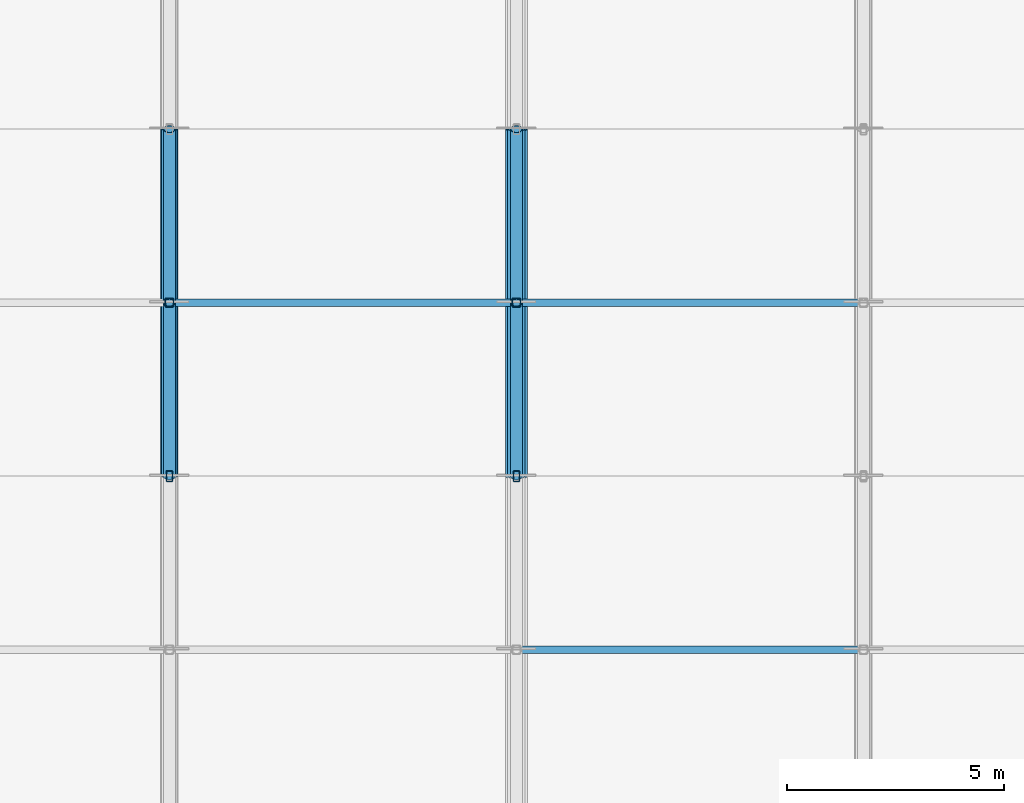
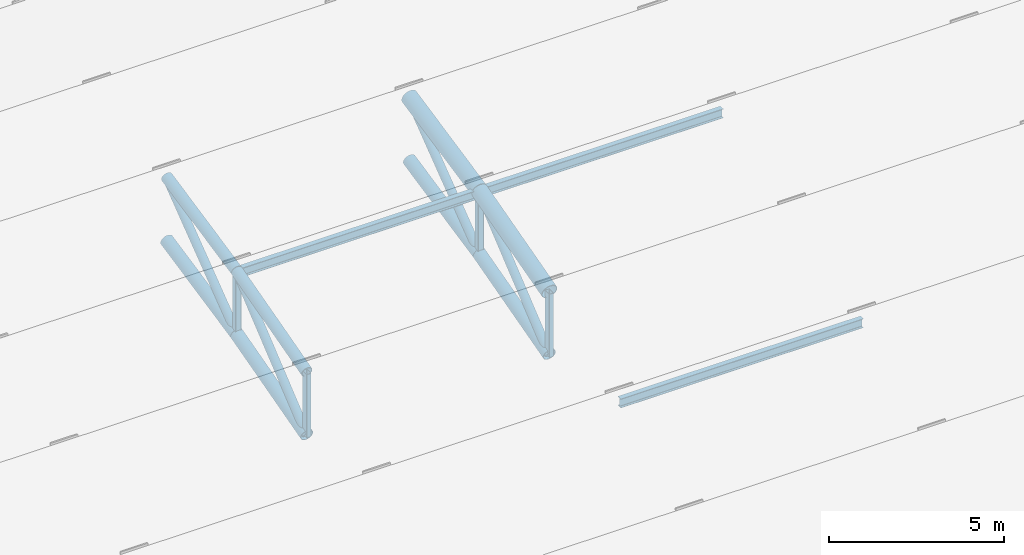
# One storey, part 8 of 98: 19 members.
"""IFC4 building model written with IfcOpenShell, lengths in metres."""

from ifc_helpers import new_model, si_unit, direction, frame, origin, origin_2d, place, context, subcontext, project, spatial, hollow_rectangle, hollow_circle, i_section, extrude, material, material_profile, profile_set, type_object, element, save


model = new_model("IFC4")

# Units and contexts
model_context = context("Model", 3, precision=1e-05, world=origin(), true_north=direction((0.0, 1.0)))
body_context = subcontext(model_context, "Body", "Model", "MODEL_VIEW")
ifc_project = project(units=[si_unit("LENGTHUNIT", "METRE"), si_unit("AREAUNIT", "SQUARE_METRE"), si_unit("VOLUMEUNIT", "CUBIC_METRE"), si_unit("PLANEANGLEUNIT", "RADIAN"), si_unit("MASSUNIT", "GRAM", prefix="KILO")], contexts=[model_context])

# Site, building, storey
site_placement = place(None, origin())
site = spatial("IfcSite", under=ifc_project, at=site_placement, CompositionType="ELEMENT")
building_placement = place(site_placement, origin())
building = spatial("IfcBuilding", under=site, at=building_placement, Name="Tlacozan Convention Centre", CompositionType="ELEMENT")
storey_placement = place(building_placement, frame((0.0, 0.0, 25.800048828125)))
storey = spatial("IfcBuildingStorey", under=building, at=storey_placement, Name="Roof", CompositionType="ELEMENT", Elevation=25.800048828125)

# Members
ifc_material_1 = material(Name="Steel ASTM A500 Grade C", Category="steel")
ifc_material_profile_1 = material_profile(ifc_material_1, hollow_circle(Radius=0.203125, WallThickness=0.015869140625, at=origin_2d()), Name="OC 406.4x15.9")
ifc_profile_set_1 = profile_set([ifc_material_profile_1], Name="Steel ASTM A500 Grade C")
member_type_1 = type_object("IfcMemberType", Name="Arch Bottom Chord OC 406.4x15.9", PredefinedType="CHORD", material=ifc_profile_set_1)
member_1_placement = place(storey_placement, frame((16.0, 74.0, -7.807861328125), z_axis=(0.0, 0.964289609145, 0.26485005134), x_axis=(-1.0, 0.0, 0.0)))
element("IfcMember", 1, at=member_1_placement, inside=storey, type_object=member_type_1, Name="V2A Roof Truss 3 Bottom Chord 4", PredefinedType="CHORD", context=body_context, shape_type="SweptSolid", body=[
    extrude(hollow_circle(Radius=0.203125, WallThickness=0.015869140625, at=origin_2d()), origin(), (0.0, 0.0, 1.0), 4.148193359375),
])
member_2_placement = place(storey_placement, frame((16.0, 78.0, -6.709228515625), z_axis=(0.0, 0.978552953366, 0.205995430674), x_axis=(-1.0, 0.0, 0.0)))
element("IfcMember", 2, at=member_2_placement, inside=storey, type_object=member_type_1, Name="V2A Roof Truss 3 Bottom Chord 5", PredefinedType="CHORD", context=body_context, shape_type="SweptSolid", body=[
    extrude(hollow_circle(Radius=0.203125, WallThickness=0.015869140625, at=origin_2d()), origin(), (0.0, 0.0, 1.0), 4.087646484375),
])
member_3_placement = place(storey_placement, frame((24.0, 74.0, -7.807861328125), z_axis=(0.0, 0.964289609145, 0.26485005134), x_axis=(-1.0, 0.0, 0.0)))
element("IfcMember", 3, at=member_3_placement, inside=storey, type_object=member_type_1, Name="V2A Roof Truss 4 Bottom Chord 4", PredefinedType="CHORD", context=body_context, shape_type="SweptSolid", body=[
    extrude(hollow_circle(Radius=0.203125, WallThickness=0.015869140625, at=origin_2d()), origin(), (0.0, 0.0, 1.0), 4.148193359375),
])
member_4_placement = place(storey_placement, frame((24.0, 78.0, -6.709228515625), z_axis=(0.0, 0.978552953366, 0.205995430674), x_axis=(-1.0, 0.0, 0.0)))
element("IfcMember", 4, at=member_4_placement, inside=storey, type_object=member_type_1, Name="V2A Roof Truss 4 Bottom Chord 5", PredefinedType="CHORD", context=body_context, shape_type="SweptSolid", body=[
    extrude(hollow_circle(Radius=0.203125, WallThickness=0.015869140625, at=origin_2d()), origin(), (0.0, 0.0, 1.0), 4.087646484375),
])
ifc_material_profile_2 = material_profile(ifc_material_1, hollow_circle(Radius=0.25390625, WallThickness=0.01904296875, at=origin_2d()), Name="OC 508.0x19.1")
ifc_profile_set_2 = profile_set([ifc_material_profile_2], Name="Steel ASTM A500 Grade C")
member_type_2 = type_object("IfcMemberType", Name="Arch Top Chord OC 508x19.1", PredefinedType="CHORD", material=ifc_profile_set_2)
member_5_placement = place(storey_placement, frame((24.0, 74.0, -5.607666015625), z_axis=(0.0, 0.964304639076, 0.264795322949), x_axis=(-1.0, 0.0, 0.0)))
element("IfcMember", 5, at=member_5_placement, inside=storey, type_object=member_type_2, Name="V2A Roof Truss 4 Top Chord 4", PredefinedType="CHORD", context=body_context, shape_type="SweptSolid", body=[
    extrude(hollow_circle(Radius=0.25390625, WallThickness=0.01904296875, at=origin_2d()), origin(), (0.0, 0.0, 1.0), 4.14794921875),
])
member_6_placement = place(storey_placement, frame((24.0, 78.0, -4.50927734375), z_axis=(0.0, 0.978552953366, 0.205995430674), x_axis=(-1.0, 0.0, 0.0)))
element("IfcMember", 6, at=member_6_placement, inside=storey, type_object=member_type_2, Name="V2A Roof Truss 4 Top Chord 5", PredefinedType="CHORD", context=body_context, shape_type="SweptSolid", body=[
    extrude(hollow_circle(Radius=0.25390625, WallThickness=0.01904296875, at=origin_2d()), origin(), (0.0, 0.0, 1.0), 4.087646484375),
])
ifc_material_profile_3 = material_profile(ifc_material_1, hollow_circle(Radius=0.136474609375, WallThickness=0.0126953125, at=origin_2d()), Name="OC 273.1x12.7")
ifc_profile_set_3 = profile_set([ifc_material_profile_3], Name="Steel ASTM A500 Grade C")
member_type_3 = type_object("IfcMemberType", Name="Arch Web Diagonal OC 273.1x12.7", PredefinedType="BRACE", material=ifc_profile_set_3)
member_7_placement = place(storey_placement, frame((16.0, 74.0, -7.807861328125), z_axis=(0.0, 0.771507331308, 0.63622043172), x_axis=(-1.0, 0.0, 0.0)))
element("IfcMember", 7, at=member_7_placement, inside=storey, type_object=member_type_3, Name="V2A Roof Truss 3 Web Diagonal 4", PredefinedType="BRACE", context=body_context, shape_type="SweptSolid", body=[
    extrude(hollow_circle(Radius=0.136474609375, WallThickness=0.0126953125, at=origin_2d()), origin(), (0.0, 0.0, 1.0), 5.1845703125),
])
member_8_placement = place(storey_placement, frame((16.0, 78.0, -6.709228515625), z_axis=(0.0, 0.795971176065, 0.605334524766), x_axis=(-1.0, 0.0, 0.0)))
element("IfcMember", 8, at=member_8_placement, inside=storey, type_object=member_type_3, Name="V2A Roof Truss 3 Web Diagonal 5", PredefinedType="BRACE", context=body_context, shape_type="SweptSolid", body=[
    extrude(hollow_circle(Radius=0.136474609375, WallThickness=0.0126953125, at=origin_2d()), origin(), (0.0, 0.0, 1.0), 5.025390625),
])
member_9_placement = place(storey_placement, frame((24.0, 74.0, -7.807861328125), z_axis=(0.0, 0.771507331308, 0.63622043172), x_axis=(-1.0, 0.0, 0.0)))
element("IfcMember", 9, at=member_9_placement, inside=storey, type_object=member_type_3, Name="V2A Roof Truss 4 Web Diagonal 4", PredefinedType="BRACE", context=body_context, shape_type="SweptSolid", body=[
    extrude(hollow_circle(Radius=0.136474609375, WallThickness=0.0126953125, at=origin_2d()), origin(), (0.0, 0.0, 1.0), 5.1845703125),
])
member_10_placement = place(storey_placement, frame((24.0, 78.0, -6.709228515625), z_axis=(0.0, 0.795971176065, 0.605334524766), x_axis=(-1.0, 0.0, 0.0)))
element("IfcMember", 10, at=member_10_placement, inside=storey, type_object=member_type_3, Name="V2A Roof Truss 4 Web Diagonal 5", PredefinedType="BRACE", context=body_context, shape_type="SweptSolid", body=[
    extrude(hollow_circle(Radius=0.136474609375, WallThickness=0.0126953125, at=origin_2d()), origin(), (0.0, 0.0, 1.0), 5.025390625),
])
ifc_material_profile_4 = material_profile(ifc_material_1, hollow_rectangle(XDim=0.203125, YDim=0.203125, WallThickness=0.0126953125, InnerFilletRadius=0.0126953125, OuterFilletRadius=0.02490234375, at=origin_2d()), Name="OR 203x203x12.7")
ifc_profile_set_4 = profile_set([ifc_material_profile_4], Name="Steel ASTM A500 Grade C")
member_type_4 = type_object("IfcMemberType", Name="Arch Web Strut OR 203x203x12.7", PredefinedType="STRUT", material=ifc_profile_set_4)
for number, where, z_axis, x_axis, name in (
    (11, (16.0, 78.0, -6.709228515625), (0.0, 0.0, 1.0), (1.0, 0.0, 0.0), "V2A Roof Truss 3 Vertical Strut 5"),
    (12, (24.0, 78.0, -6.709228515625), (0.0, 0.0, 1.0), (1.0, 0.0, 0.0), "V2A Roof Truss 4 Vertical Strut 5"),
):
    element("IfcMember", number, at=place(storey_placement, frame(where, z_axis=z_axis, x_axis=x_axis)), inside=storey, type_object=member_type_4, Name=name, PredefinedType="STRUT", context=body_context, shape_type="SweptSolid", body=[
        extrude(hollow_rectangle(XDim=0.203125, YDim=0.203125, WallThickness=0.0126953125, InnerFilletRadius=0.0126953125, OuterFilletRadius=0.02490234375, at=origin_2d()), origin(), (0.0, 0.0, 1.0), 2.199951171875),
    ])
ifc_material_2 = material(Name="Steel ASTM A992 Grade 50", Category="steel")
ifc_material_profile_5 = material_profile(ifc_material_2, i_section(OverallWidth=0.1669921875, OverallDepth=0.31689453125, WebThickness=0.007568359375, FlangeThickness=0.01318359375, FilletRadius=0.010009765625, at=origin_2d()), Name="IR 305x52.2")
ifc_profile_set_5 = profile_set([ifc_material_profile_5], Name="Steel ASTM A992 Grade 50")
member_type_5 = type_object("IfcMemberType", Name="Roof Purlin IR 305x52.2", PredefinedType="PURLIN", material=ifc_profile_set_5)
for number, where, z_axis, x_axis, name in (
    (13, (16.0, 78.0, -4.57421875), (1.0, 0.0, 0.0), (0.0, 1.0, 0.0), "V2A Roof Truss Purlin 3.5"),
    (14, (24.0, 70.0, -7.041259765625), (1.0, 0.0, 0.0), (0.0, 1.0, 0.0), "V2A Roof Truss Purlin 4.3"),
    (15, (24.0, 78.0, -4.57421875), (1.0, 0.0, 0.0), (0.0, 1.0, 0.0), "V2A Roof Truss Purlin 4.5"),
):
    element("IfcMember", number, at=place(storey_placement, frame(where, z_axis=z_axis, x_axis=x_axis)), inside=storey, type_object=member_type_5, Name=name, PredefinedType="PURLIN", context=body_context, shape_type="SweptSolid", body=[
        extrude(i_section(OverallWidth=0.1669921875, OverallDepth=0.31689453125, WebThickness=0.007568359375, FlangeThickness=0.01318359375, FilletRadius=0.010009765625, at=origin_2d()), origin(), (0.0, 0.0, 1.0), 8.0),
    ])
ifc_material_profile_6 = material_profile(ifc_material_1, hollow_circle(Radius=0.177734375, WallThickness=0.015869140625, at=origin_2d()), Name="OC 355.6x15.9")
ifc_profile_set_6 = profile_set([ifc_material_profile_6], Name="Steel ASTM A500 Grade C")
member_type_6 = type_object("IfcMemberType", Name="Secondary Arch Chord OC 355.6x15.9", PredefinedType="CHORD", material=ifc_profile_set_6)
member_11_placement = place(storey_placement, frame((16.0, 74.0, -5.607666015625), z_axis=(0.0, 0.964304639076, 0.264795322949), x_axis=(-1.0, 0.0, 0.0)))
element("IfcMember", 16, at=member_11_placement, inside=storey, type_object=member_type_6, Name="V2A Roof Truss 3 Top Chord 4", PredefinedType="CHORD", context=body_context, shape_type="SweptSolid", body=[
    extrude(hollow_circle(Radius=0.177734375, WallThickness=0.015869140625, at=origin_2d()), origin(), (0.0, 0.0, 1.0), 4.14794921875),
])
member_12_placement = place(storey_placement, frame((16.0, 78.0, -4.50927734375), z_axis=(0.0, 0.978552953366, 0.205995430674), x_axis=(-1.0, 0.0, 0.0)))
element("IfcMember", 17, at=member_12_placement, inside=storey, type_object=member_type_6, Name="V2A Roof Truss 3 Top Chord 5", PredefinedType="CHORD", context=body_context, shape_type="SweptSolid", body=[
    extrude(hollow_circle(Radius=0.177734375, WallThickness=0.015869140625, at=origin_2d()), origin(), (0.0, 0.0, 1.0), 4.087646484375),
])
ifc_material_profile_7 = material_profile(ifc_material_1, hollow_rectangle(XDim=0.15234375, YDim=0.25390625, WallThickness=0.0126953125, InnerFilletRadius=0.0126953125, OuterFilletRadius=0.02490234375, at=origin_2d()), Name="OR 254x152x12.7")
ifc_profile_set_7 = profile_set([ifc_material_profile_7], Name="Steel ASTM A500 Grade C")
member_type_7 = type_object("IfcMemberType", Name="Truss Secondary Strut OR 254x152x12.7", PredefinedType="STRUT", material=ifc_profile_set_7)
for number, where, z_axis, x_axis, name in (
    (18, (16.0, 74.0, -7.807861328125), (0.0, 0.0, 1.0), (1.0, 0.0, 0.0), "V2A Roof Truss 3 Vertical Strut 4"),
    (19, (24.0, 74.0, -7.807861328125), (0.0, 0.0, 1.0), (1.0, 0.0, 0.0), "V2A Roof Truss 4 Vertical Strut 4"),
):
    element("IfcMember", number, at=place(storey_placement, frame(where, z_axis=z_axis, x_axis=x_axis)), inside=storey, type_object=member_type_7, Name=name, PredefinedType="STRUT", context=body_context, shape_type="SweptSolid", body=[
        extrude(hollow_rectangle(XDim=0.15234375, YDim=0.25390625, WallThickness=0.0126953125, InnerFilletRadius=0.0126953125, OuterFilletRadius=0.02490234375, at=origin_2d()), origin(), (0.0, 0.0, 1.0), 2.2001953125),
    ])

save(model, "model.ifc")
